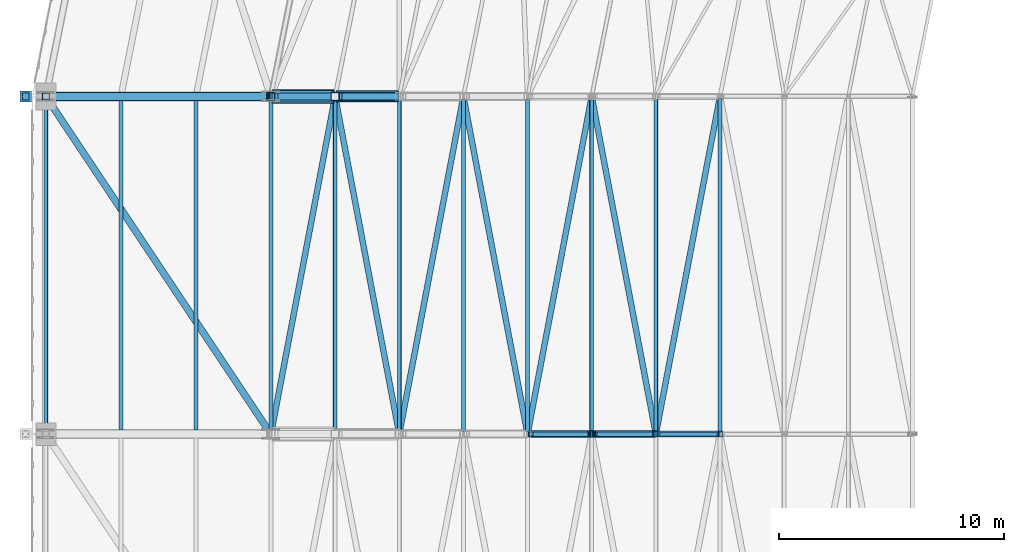
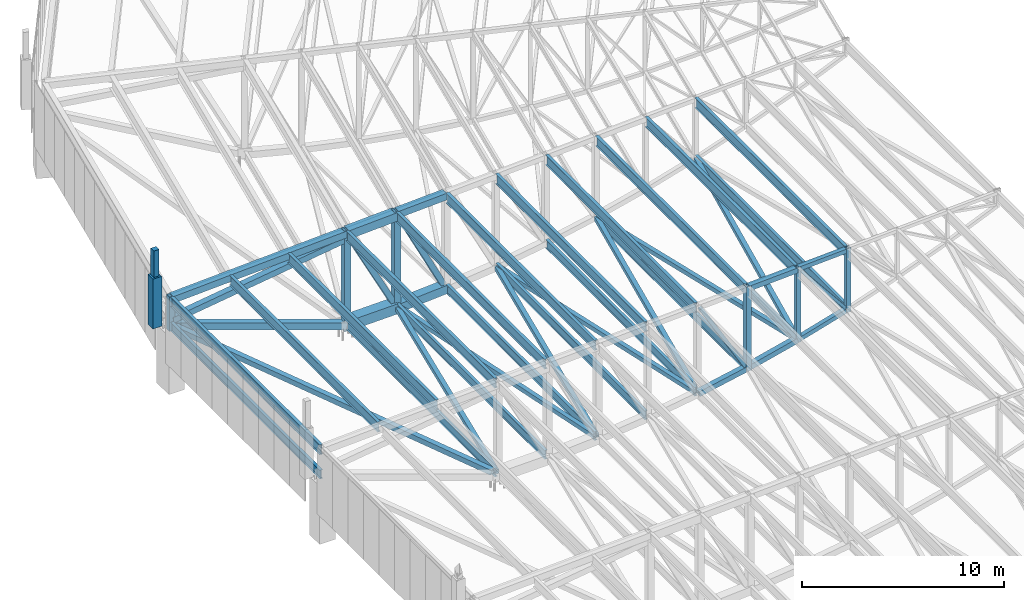
# One storey, part 63 of 278: 36 members, 17 beams.
"""IFC4 building model written with IfcOpenShell, lengths in metres."""

from ifc_helpers import new_model, si_unit, direction, frame, origin, origin_2d, place, context, subcontext, project, spatial, rectangle, hollow_rectangle, i_section, extrude, material, material_profile, profile_set, type_object, element, save


model = new_model("IFC4")

# Units and contexts
model_context = context("Model", 3, precision=1e-05, world=origin(), true_north=direction((0.0, 1.0)))
body_context = subcontext(model_context, "Body", "Model", "MODEL_VIEW")
ifc_project = project(units=[si_unit("LENGTHUNIT", "METRE"), si_unit("AREAUNIT", "SQUARE_METRE"), si_unit("VOLUMEUNIT", "CUBIC_METRE"), si_unit("PLANEANGLEUNIT", "RADIAN"), si_unit("MASSUNIT", "GRAM", prefix="KILO")], contexts=[model_context])

# Site, building, storey
site_placement = place(None, origin())
site = spatial("IfcSite", under=ifc_project, at=site_placement, CompositionType="ELEMENT")
building_placement = place(site_placement, origin())
building = spatial("IfcBuilding", under=site, at=building_placement, Name="Ogive Plaza Stadium", CompositionType="ELEMENT")
storey_placement = place(building_placement, frame((0.0, 0.0, 29.0)))
storey = spatial("IfcBuildingStorey", under=building, at=storey_placement, Name="Roof", CompositionType="ELEMENT", Elevation=29.0)

# Members
ifc_material_1 = material(Name="Concrete C45/55 precast", Category="concrete")
ifc_material_profile_1 = material_profile(ifc_material_1, rectangle(XDim=0.5, YDim=0.5, at=origin_2d()), Name="RC 500x500")
ifc_profile_set_1 = profile_set([ifc_material_profile_1], Name="Concrete C45/55 precast")
member_type_1 = type_object("IfcMemberType", Name="Precast pinnacle 500x500", PredefinedType="POST", material=ifc_profile_set_1)
member_1_placement = place(storey_placement, frame((-84.89990234375, 52.5, 4.0), z_axis=(0.0, 0.0, 1.0), x_axis=(0.0, -1.0, 0.0)))
element("IfcMember", 1, at=member_1_placement, inside=storey, type_object=member_type_1, Name="PINNACLE R28", PredefinedType="POST", context=body_context, shape_type="SweptSolid", body=[
    extrude(rectangle(XDim=0.5, YDim=0.5, at=origin_2d()), origin(), (0.0, 0.0, 1.0), 3.0),
])
ifc_material_2 = material(Name="Concrete C45/55 precast", Category="concrete")
ifc_material_profile_2 = material_profile(ifc_material_2, rectangle(XDim=0.300048828125, YDim=0.300048828125, at=origin_2d()), Name="RC 300x300")
ifc_profile_set_2 = profile_set([ifc_material_profile_2], Name="Concrete C45/55 precast")
member_type_2 = type_object("IfcMemberType", Name="Precast spire 300x300", PredefinedType="MEMBER", material=ifc_profile_set_2)
member_2_placement = place(storey_placement, frame((-84.89990234375, 52.5, 7.0), z_axis=(0.0, 0.0, 1.0), x_axis=(0.0, -1.0, 0.0)))
element("IfcMember", 2, at=member_2_placement, inside=storey, type_object=member_type_2, Name="SPIRE R28", PredefinedType="MEMBER", context=body_context, shape_type="SweptSolid", body=[
    extrude(rectangle(XDim=0.300048828125, YDim=0.300048828125, at=origin_2d()), origin(), (0.0, 0.0, 1.0), 1.60009765625),
])
ifc_material_3 = material(Name="Steel ASTM A500 Grade C", Category="steel")
ifc_material_profile_3 = material_profile(ifc_material_3, hollow_rectangle(XDim=0.25390625, YDim=0.25390625, WallThickness=0.0087890625, at=origin_2d()), Name="HSS10X10X3/8")
ifc_profile_set_3 = profile_set([ifc_material_profile_3], Name="Steel ASTM A500 Grade C")
member_type_3 = type_object("IfcMemberType", Name="Roof plan brace HSS10X10X3/8", PredefinedType="BRACE", material=ifc_profile_set_3)
member_3_placement = place(storey_placement, frame((-54.068115234375, 52.404052734375, 3.27001953125), z_axis=(-0.186406461707, -0.981044003163, -0.052965034622), x_axis=(0.982422964001, -0.186668475654, 0.0)))
element("IfcMember", 3, at=member_3_placement, inside=storey, type_object=member_type_3, Name="ROOF BRACE B27 4", PredefinedType="BRACE", context=body_context, shape_type="SweptSolid", body=[
    extrude(hollow_rectangle(XDim=0.25390625, YDim=0.25390625, WallThickness=0.0087890625, at=origin_2d()), origin(), (0.0, 0.0, 1.0), 15.068359375),
])
member_4_placement = place(storey_placement, frame((-56.923095703125, 37.621337890625, 2.459716796875), z_axis=(-0.186461324063, 0.981373677857, -0.046237204039), x_axis=(-0.982424391989, -0.186660960097, 0.0)))
element("IfcMember", 4, at=member_4_placement, inside=storey, type_object=member_type_3, Name="ROOF BRACE B27 5", PredefinedType="BRACE", context=body_context, shape_type="SweptSolid", body=[
    extrude(hollow_rectangle(XDim=0.25390625, YDim=0.25390625, WallThickness=0.0087890625, at=origin_2d()), origin(), (0.0, 0.0, 1.0), 15.011474609375),
])
member_5_placement = place(storey_placement, frame((-59.77783203125, 52.353271484375, 1.753173828125), z_axis=(-0.186534960176, -0.981781820104, -0.036182403809), x_axis=(0.982425109661, -0.186657182843, 0.0)))
element("IfcMember", 5, at=member_5_placement, inside=storey, type_object=member_type_3, Name="ROOF BRACE B27 6", PredefinedType="BRACE", context=body_context, shape_type="SweptSolid", body=[
    extrude(hollow_rectangle(XDim=0.25390625, YDim=0.25390625, WallThickness=0.0087890625, at=origin_2d()), origin(), (0.0, 0.0, 1.0), 14.9794921875),
])
member_6_placement = place(storey_placement, frame((-62.6279296875, 37.646728515625, 1.20166015625), z_axis=(-0.186585145076, 0.982045956233, -0.027779911508), x_axis=(-0.982425109661, -0.186657182843, 0.0)))
element("IfcMember", 6, at=member_6_placement, inside=storey, type_object=member_type_3, Name="ROOF BRACE B27 7", PredefinedType="BRACE", context=body_context, shape_type="SweptSolid", body=[
    extrude(hollow_rectangle(XDim=0.25390625, YDim=0.25390625, WallThickness=0.0087890625, at=origin_2d()), origin(), (0.0, 0.0, 1.0), 14.975341796875),
])
member_7_placement = place(storey_placement, frame((-65.477783203125, 52.353271484375, 0.77880859375), z_axis=(-0.186639895054, -0.982268812283, -0.017706778071), x_axis=(0.982422833867, -0.186669160538, 0.0)))
element("IfcMember", 7, at=member_7_placement, inside=storey, type_object=member_type_3, Name="ROOF BRACE B27 8", PredefinedType="BRACE", context=body_context, shape_type="SweptSolid", body=[
    extrude(hollow_rectangle(XDim=0.25390625, YDim=0.25390625, WallThickness=0.0087890625, at=origin_2d()), origin(), (0.0, 0.0, 1.0), 14.946044921875),
])
member_8_placement = place(storey_placement, frame((-68.332763671875, 37.672119140625, 0.50927734375), z_axis=(-0.186657320186, 0.982381109131, -0.009295226886), x_axis=(-0.982423551356, -0.186665384421, 0.0)))
element("IfcMember", 8, at=member_8_placement, inside=storey, type_object=member_type_3, Name="ROOF BRACE B27 9", PredefinedType="BRACE", context=body_context, shape_type="SweptSolid", body=[
    extrude(hollow_rectangle(XDim=0.25390625, YDim=0.25390625, WallThickness=0.0087890625, at=origin_2d()), origin(), (0.0, 0.0, 1.0), 14.918701171875),
])
member_9_placement = place(storey_placement, frame((-71.1826171875, 52.327880859375, 0.368408203125), z_axis=(-0.186663720517, -0.982414794197, -0.004222272479), x_axis=(0.982423551356, -0.186665384421, 0.0)))
element("IfcMember", 9, at=member_9_placement, inside=storey, type_object=member_type_3, Name="ROOF BRACE B27 10", PredefinedType="BRACE", context=body_context, shape_type="SweptSolid", body=[
    extrude(hollow_rectangle(XDim=0.25390625, YDim=0.25390625, WallThickness=0.0087890625, at=origin_2d()), origin(), (0.0, 0.0, 1.0), 14.918212890625),
])
ifc_material_4 = material(Name="Steel ASTM A500 Grade C", Category="steel")
ifc_material_profile_4 = material_profile(ifc_material_4, hollow_rectangle(XDim=0.3046875, YDim=0.3046875, WallThickness=0.0087890625, at=origin_2d()), Name="HSS12X12X3/8")
ifc_profile_set_4 = profile_set([ifc_material_profile_4], Name="Steel ASTM A500 Grade C")
member_type_4 = type_object("IfcMemberType", Name="Roof plan brace HSS12X12X3/8", PredefinedType="BRACE", material=ifc_profile_set_4)
member_10_placement = place(storey_placement, frame((-74.158203125, 37.7373046875, 0.358642578125), z_axis=(-0.545096233751, 0.817651210116, 0.185247387419), x_axis=(-0.832052442118, -0.554696974542, 0.0)))
element("IfcMember", 10, at=member_10_placement, inside=storey, type_object=member_type_4, Name="ROOF BRACE B27 11", PredefinedType="BRACE", context=body_context, shape_type="SweptSolid", body=[
    extrude(hollow_rectangle(XDim=0.3046875, YDim=0.3046875, WallThickness=0.0087890625, at=origin_2d()), origin(), (0.0, 0.0, 1.0), 17.7958984375),
])
ifc_material_5 = material(Name="Steel ASTM A992 Grade 50", Category="steel")
ifc_material_profile_5 = material_profile(ifc_material_5, i_section(OverallWidth=0.1650390625, OverallDepth=0.524658203125, WebThickness=0.0087890625, FlangeThickness=0.011474609375, at=origin_2d()), Name="W21X44")
ifc_profile_set_5 = profile_set([ifc_material_profile_5], Name="Steel ASTM A992 Grade 50")
member_type_5 = type_object("IfcMemberType", Name="Roof plan strut W21X44", PredefinedType="STRUT", material=ifc_profile_set_5)
member_11_placement = place(storey_placement, frame((-54.050048828125, 37.571533203125, 3.275146484375), z_axis=(0.0, 1.0, 0.0), x_axis=(-1.0, 0.0, 0.0)))
element("IfcMember", 11, at=member_11_placement, inside=storey, type_object=member_type_5, Name="ROOF STRUT B27 3", PredefinedType="STRUT", context=body_context, shape_type="SweptSolid", body=[
    extrude(i_section(OverallWidth=0.1650390625, OverallDepth=0.524658203125, WebThickness=0.0087890625, FlangeThickness=0.011474609375, at=origin_2d()), origin(), (0.0, 0.0, 1.0), 14.85693359375),
])
member_12_placement = place(storey_placement, frame((-56.89990234375, 37.596923828125, 2.46533203125), z_axis=(0.0, 1.0, 0.0), x_axis=(-1.0, 0.0, 0.0)))
element("IfcMember", 12, at=member_12_placement, inside=storey, type_object=member_type_5, Name="ROOF STRUT B27 4", PredefinedType="STRUT", context=body_context, shape_type="SweptSolid", body=[
    extrude(i_section(OverallWidth=0.1650390625, OverallDepth=0.524658203125, WebThickness=0.0087890625, FlangeThickness=0.011474609375, at=origin_2d()), origin(), (0.0, 0.0, 1.0), 14.80615234375),
])
for number, where, z_axis, x_axis, name in (
    (13, (-59.75, 37.622314453125, 1.758544921875), (0.0, 1.0, 0.0), (-1.0, 0.0, 0.0), "ROOF STRUT B27 5"),
    (14, (-62.60009765625, 37.622314453125, 1.205810546875), (0.0, 1.0, 0.0), (-1.0, 0.0, 0.0), "ROOF STRUT B27 6"),
    (15, (-65.449951171875, 37.622314453125, 0.781494140625), (0.0, 1.0, 0.0), (-1.0, 0.0, 0.0), "ROOF STRUT B27 7"),
):
    element("IfcMember", number, at=place(storey_placement, frame(where, z_axis=z_axis, x_axis=x_axis)), inside=storey, type_object=member_type_5, Name=name, PredefinedType="STRUT", context=body_context, shape_type="SweptSolid", body=[
        extrude(i_section(OverallWidth=0.1650390625, OverallDepth=0.524658203125, WebThickness=0.0087890625, FlangeThickness=0.011474609375, at=origin_2d()), origin(), (0.0, 0.0, 1.0), 14.75537109375),
    ])
for number, where, z_axis, x_axis, name in (
    (16, (-68.300048828125, 37.647705078125, 0.510986328125), (0.0, 1.0, 0.0), (-1.0, 0.0, 0.0), "ROOF STRUT B27 8"),
    (17, (-71.14990234375, 37.647705078125, 0.369140625), (0.0, 1.0, 0.0), (-1.0, 0.0, 0.0), "ROOF STRUT B27 9"),
    (18, (-74.0, 37.647705078125, 0.3046875), (0.0, 1.0, 0.0), (-1.0, 0.0, 0.0), "ROOF STRUT B27 10"),
):
    element("IfcMember", number, at=place(storey_placement, frame(where, z_axis=z_axis, x_axis=x_axis)), inside=storey, type_object=member_type_5, Name=name, PredefinedType="STRUT", context=body_context, shape_type="SweptSolid", body=[
        extrude(i_section(OverallWidth=0.1650390625, OverallDepth=0.524658203125, WebThickness=0.0087890625, FlangeThickness=0.011474609375, at=origin_2d()), origin(), (0.0, 0.0, 1.0), 14.70458984375),
    ])
member_13_placement = place(storey_placement, frame((-84.0, 37.622314453125, 3.703125), z_axis=(0.0, 1.0, 0.0), x_axis=(-1.0, 0.0, 0.0)))
element("IfcMember", 19, at=member_13_placement, inside=storey, type_object=member_type_5, Name="ROOF STRUT B27 11", PredefinedType="STRUT", context=body_context, shape_type="SweptSolid", body=[
    extrude(i_section(OverallWidth=0.1650390625, OverallDepth=0.524658203125, WebThickness=0.0087890625, FlangeThickness=0.011474609375, at=origin_2d()), origin(), (0.0, 0.0, 1.0), 14.75537109375),
])
ifc_material_6 = material(Name="Steel ASTM A992 Grade 50", Category="steel")
ifc_material_profile_6 = material_profile(ifc_material_6, i_section(OverallWidth=0.177978515625, OverallDepth=0.5986328125, WebThickness=0.010009765625, FlangeThickness=0.012939453125, at=origin_2d()), Name="W24X55")
ifc_profile_set_6 = profile_set([ifc_material_profile_6], Name="Steel ASTM A992 Grade 50")
member_type_6 = type_object("IfcMemberType", Name="Roof purlin W24X55", PredefinedType="PURLIN", material=ifc_profile_set_6)
member_14_placement = place(storey_placement, frame((-54.050048828125, 37.571533203125, 6.6982421875), z_axis=(0.0, 1.0, 0.0), x_axis=(-1.0, 0.0, 0.0)))
element("IfcMember", 20, at=member_14_placement, inside=storey, type_object=member_type_6, Name="ROOF PURLIN B27 3", PredefinedType="PURLIN", context=body_context, shape_type="SweptSolid", body=[
    extrude(i_section(OverallWidth=0.177978515625, OverallDepth=0.5986328125, WebThickness=0.010009765625, FlangeThickness=0.012939453125, at=origin_2d()), origin(), (0.0, 0.0, 1.0), 14.85693359375),
])
member_15_placement = place(storey_placement, frame((-56.89990234375, 37.596923828125, 6.5556640625), z_axis=(0.0, 1.0, 0.0), x_axis=(-1.0, 0.0, 0.0)))
element("IfcMember", 21, at=member_15_placement, inside=storey, type_object=member_type_6, Name="ROOF PURLIN B27 4", PredefinedType="PURLIN", context=body_context, shape_type="SweptSolid", body=[
    extrude(i_section(OverallWidth=0.177978515625, OverallDepth=0.5986328125, WebThickness=0.010009765625, FlangeThickness=0.012939453125, at=origin_2d()), origin(), (0.0, 0.0, 1.0), 14.80615234375),
])
for number, where, z_axis, x_axis, name in (
    (22, (-59.75, 37.622314453125, 6.4130859375), (0.0, 1.0, 0.0), (-1.0, 0.0, 0.0), "ROOF PURLIN B27 5"),
    (23, (-62.60009765625, 37.622314453125, 6.270751953125), (0.0, 1.0, 0.0), (-1.0, 0.0, 0.0), "ROOF PURLIN B27 6"),
    (24, (-65.449951171875, 37.622314453125, 6.128173828125), (0.0, 1.0, 0.0), (-1.0, 0.0, 0.0), "ROOF PURLIN B27 7"),
):
    element("IfcMember", number, at=place(storey_placement, frame(where, z_axis=z_axis, x_axis=x_axis)), inside=storey, type_object=member_type_6, Name=name, PredefinedType="PURLIN", context=body_context, shape_type="SweptSolid", body=[
        extrude(i_section(OverallWidth=0.177978515625, OverallDepth=0.5986328125, WebThickness=0.010009765625, FlangeThickness=0.012939453125, at=origin_2d()), origin(), (0.0, 0.0, 1.0), 14.75537109375),
    ])
for number, where, z_axis, x_axis, name in (
    (25, (-68.300048828125, 37.647705078125, 5.985595703125), (0.0, 1.0, 0.0), (-1.0, 0.0, 0.0), "ROOF PURLIN B27 8"),
    (26, (-71.14990234375, 37.647705078125, 5.84326171875), (0.0, 1.0, 0.0), (-1.0, 0.0, 0.0), "ROOF PURLIN B27 9"),
    (27, (-74.0, 37.647705078125, 5.70068359375), (0.0, 1.0, 0.0), (-1.0, 0.0, 0.0), "ROOF PURLIN B27 10"),
):
    element("IfcMember", number, at=place(storey_placement, frame(where, z_axis=z_axis, x_axis=x_axis)), inside=storey, type_object=member_type_6, Name=name, PredefinedType="PURLIN", context=body_context, shape_type="SweptSolid", body=[
        extrude(i_section(OverallWidth=0.177978515625, OverallDepth=0.5986328125, WebThickness=0.010009765625, FlangeThickness=0.012939453125, at=origin_2d()), origin(), (0.0, 0.0, 1.0), 14.70458984375),
    ])
for number, where, z_axis, x_axis, name in (
    (28, (-77.333251953125, 37.673095703125, 5.533935546875), (0.0, 1.0, 0.0), (-1.0, 0.0, 0.0), "ROOF PURLIN B27 11"),
    (29, (-80.666748046875, 37.673095703125, 5.367431640625), (0.0, 1.0, 0.0), (-1.0, 0.0, 0.0), "ROOF PURLIN B27 12"),
):
    element("IfcMember", number, at=place(storey_placement, frame(where, z_axis=z_axis, x_axis=x_axis)), inside=storey, type_object=member_type_6, Name=name, PredefinedType="PURLIN", context=body_context, shape_type="SweptSolid", body=[
        extrude(i_section(OverallWidth=0.177978515625, OverallDepth=0.5986328125, WebThickness=0.010009765625, FlangeThickness=0.012939453125, at=origin_2d()), origin(), (0.0, 0.0, 1.0), 14.65380859375),
    ])
member_16_placement = place(storey_placement, frame((-84.0, 37.622314453125, 5.20068359375), z_axis=(0.0, 1.0, 0.0), x_axis=(-1.0, 0.0, 0.0)))
element("IfcMember", 30, at=member_16_placement, inside=storey, type_object=member_type_6, Name="ROOF PURLIN B27 13", PredefinedType="PURLIN", context=body_context, shape_type="SweptSolid", body=[
    extrude(i_section(OverallWidth=0.177978515625, OverallDepth=0.5986328125, WebThickness=0.010009765625, FlangeThickness=0.012939453125, at=origin_2d()), origin(), (0.0, 0.0, 1.0), 14.75537109375),
])

# Beams
ifc_material_7 = material(Name="Steel ASTM A500 Grade C", Category="steel")
ifc_material_profile_7 = material_profile(ifc_material_7, hollow_rectangle(XDim=0.406494140625, YDim=0.406494140625, WallThickness=0.0146484375, at=origin_2d()), Name="HSS16X16X5/8")
ifc_profile_set_7 = profile_set([ifc_material_profile_7], Name="Steel ASTM A500 Grade C")
beam_type_1 = type_object("IfcBeamType", Name="Roof truss back-span bottom chord HSS16X16X5/8", PredefinedType="BEAM", material=ifc_profile_set_7)
beam_1_placement = place(storey_placement, frame((-74.050048828125, 52.5, 0.232666015625), z_axis=(-0.943851085966, 0.0, 0.330371196567), x_axis=(0.0, -1.0, 0.0)))
element("IfcBeam", 31, at=beam_1_placement, inside=storey, type_object=beam_type_1, Name="ROOF TRUSS T28 BOTTOM CHORD 11", PredefinedType="BEAM", context=body_context, shape_type="SweptSolid", body=[
    extrude(hollow_rectangle(XDim=0.406494140625, YDim=0.406494140625, WallThickness=0.0146484375, at=origin_2d()), origin(), (0.0, 0.0, 1.0), 10.470703125),
])
ifc_material_8 = material(Name="Steel ASTM A500 Grade C", Category="steel")
ifc_material_profile_8 = material_profile(ifc_material_8, hollow_rectangle(XDim=0.406494140625, YDim=0.406494140625, WallThickness=0.0146484375, at=origin_2d()), Name="HSS16X16X5/8")
ifc_profile_set_8 = profile_set([ifc_material_profile_8], Name="Steel ASTM A500 Grade C")
beam_type_2 = type_object("IfcBeamType", Name="Roof truss back-span top chord HSS16X16X5/8", PredefinedType="BEAM", material=ifc_profile_set_8)
beam_2_placement = place(storey_placement, frame((-74.050048828125, 52.5, 5.7939453125), z_axis=(-0.998752953021, 0.0, -0.049925332571), x_axis=(0.0, -1.0, 0.0)))
element("IfcBeam", 32, at=beam_2_placement, inside=storey, type_object=beam_type_2, Name="ROOF TRUSS T28 TOP CHORD 11", PredefinedType="BEAM", context=body_context, shape_type="SweptSolid", body=[
    extrude(hollow_rectangle(XDim=0.406494140625, YDim=0.406494140625, WallThickness=0.0146484375, at=origin_2d()), origin(), (0.0, 0.0, 1.0), 9.912353515625),
])

# Member
ifc_material_9 = material(Name="Steel ASTM A500 Grade C", Category="steel")
ifc_material_profile_9 = material_profile(ifc_material_9, hollow_rectangle(XDim=0.355712890625, YDim=0.355712890625, WallThickness=0.0146484375, at=origin_2d()), Name="HSS14X14X5/8")
ifc_profile_set_9 = profile_set([ifc_material_profile_9], Name="Steel ASTM A500 Grade C")
member_type_7 = type_object("IfcMemberType", Name="Roof truss back-stay HSS14X14X5/8", PredefinedType="BRACE", material=ifc_profile_set_9)
member_17_placement = place(storey_placement, frame((-74.093017578125, 52.5, 5.45654296875), z_axis=(-0.989844100519, 0.0, -0.142157154826), x_axis=(0.0, -1.0, 0.0)))
element("IfcMember", 33, at=member_17_placement, inside=storey, type_object=member_type_7, Name="BACK-STAY T28", PredefinedType="BRACE", context=body_context, shape_type="SweptSolid", body=[
    extrude(hollow_rectangle(XDim=0.355712890625, YDim=0.355712890625, WallThickness=0.0146484375, at=origin_2d()), origin(), (0.0, 0.0, 1.0), 9.9404296875),
])

# Beams
ifc_material_10 = material(Name="Steel ASTM A500 Grade C", Category="steel")
ifc_material_profile_10 = material_profile(ifc_material_10, hollow_rectangle(XDim=0.25390625, YDim=0.25390625, WallThickness=0.01171875, at=origin_2d()), Name="HSS10X10X1/2")
ifc_profile_set_10 = profile_set([ifc_material_profile_10], Name="Steel ASTM A500 Grade C")
beam_type_3 = type_object("IfcBeamType", Name="Roof truss bottom chord HSS10X10X1/2", PredefinedType="BEAM", material=ifc_profile_set_10)
beam_3_placement = place(storey_placement, frame((-54.10009765625, 37.5, 3.265869140625), z_axis=(-0.959640437259, 0.0, -0.281229854705), x_axis=(0.0, -1.0, 0.0)))
element("IfcBeam", 34, at=beam_3_placement, inside=storey, type_object=beam_type_3, Name="ROOF TRUSS T27 BOTTOM CHORD 4", PredefinedType="BEAM", context=body_context, shape_type="SweptSolid", body=[
    extrude(hollow_rectangle(XDim=0.25390625, YDim=0.25390625, WallThickness=0.01171875, at=origin_2d()), origin(), (0.0, 0.0, 1.0), 2.86572265625),
])
ifc_material_11 = material(Name="Steel ASTM A500 Grade C", Category="steel")
ifc_material_profile_11 = material_profile(ifc_material_11, hollow_rectangle(XDim=0.3046875, YDim=0.3046875, WallThickness=0.0146484375, at=origin_2d()), Name="HSS12X12X5/8")
ifc_profile_set_11 = profile_set([ifc_material_profile_11], Name="Steel ASTM A500 Grade C")
beam_type_4 = type_object("IfcBeamType", Name="Roof truss bottom chord HSS12X12X5/8", PredefinedType="BEAM", material=ifc_profile_set_11)
beam_4_placement = place(storey_placement, frame((-56.949951171875, 37.5, 2.45751953125), z_axis=(-0.970607032995, 0.0, -0.240669872439), x_axis=(0.0, -1.0, 0.0)))
element("IfcBeam", 35, at=beam_4_placement, inside=storey, type_object=beam_type_4, Name="ROOF TRUSS T27 BOTTOM CHORD 5", PredefinedType="BEAM", context=body_context, shape_type="SweptSolid", body=[
    extrude(hollow_rectangle(XDim=0.3046875, YDim=0.3046875, WallThickness=0.0146484375, at=origin_2d()), origin(), (0.0, 0.0, 1.0), 2.833251953125),
])
beam_5_placement = place(storey_placement, frame((-59.800048828125, 37.5, 1.751708984375), z_axis=(-0.980021250437, 0.0, -0.19889280704), x_axis=(0.0, -1.0, 0.0)))
element("IfcBeam", 36, at=beam_5_placement, inside=storey, type_object=beam_type_4, Name="ROOF TRUSS T27 BOTTOM CHORD 6", PredefinedType="BEAM", context=body_context, shape_type="SweptSolid", body=[
    extrude(hollow_rectangle(XDim=0.3046875, YDim=0.3046875, WallThickness=0.0146484375, at=origin_2d()), origin(), (0.0, 0.0, 1.0), 2.80615234375),
])
ifc_material_12 = material(Name="Steel ASTM A500 Grade C", Category="steel")
ifc_material_profile_12 = material_profile(ifc_material_12, hollow_rectangle(XDim=0.508056640625, YDim=0.508056640625, WallThickness=0.0146484375, at=origin_2d()), Name="HSS20X20X5/8")
ifc_profile_set_12 = profile_set([ifc_material_profile_12], Name="Steel ASTM A500 Grade C")
beam_type_5 = type_object("IfcBeamType", Name="Roof truss bottom chord HSS20X20X5/8", PredefinedType="BEAM", material=ifc_profile_set_12)
beam_6_placement = place(storey_placement, frame((-68.35009765625, 52.5, 0.50830078125), z_axis=(-0.997719620387, 0.0, -0.06749488199), x_axis=(0.0, -1.0, 0.0)))
element("IfcBeam", 37, at=beam_6_placement, inside=storey, type_object=beam_type_5, Name="ROOF TRUSS T28 BOTTOM CHORD 9", PredefinedType="BEAM", context=body_context, shape_type="SweptSolid", body=[
    extrude(hollow_rectangle(XDim=0.508056640625, YDim=0.508056640625, WallThickness=0.0146484375, at=origin_2d()), origin(), (0.0, 0.0, 1.0), 2.75634765625),
])
ifc_material_13 = material(Name="Steel ASTM A500 Grade C", Category="steel")
ifc_material_profile_13 = material_profile(ifc_material_13, hollow_rectangle(XDim=0.609619140625, YDim=0.609619140625, WallThickness=0.0146484375, at=origin_2d()), Name="HSS24X24X5/8")
ifc_profile_set_13 = profile_set([ifc_material_profile_13], Name="Steel ASTM A500 Grade C")
beam_type_6 = type_object("IfcBeamType", Name="Roof truss bottom chord HSS24X24X5/8", PredefinedType="BEAM", material=ifc_profile_set_13)
beam_7_placement = place(storey_placement, frame((-71.199951171875, 52.5, 0.367919921875), z_axis=(-0.999745852076, 0.0, -0.022543984946), x_axis=(0.0, -1.0, 0.0)))
element("IfcBeam", 38, at=beam_7_placement, inside=storey, type_object=beam_type_6, Name="ROOF TRUSS T28 BOTTOM CHORD 10", PredefinedType="BEAM", context=body_context, shape_type="SweptSolid", body=[
    extrude(hollow_rectangle(XDim=0.609619140625, YDim=0.609619140625, WallThickness=0.0146484375, at=origin_2d()), origin(), (0.0, 0.0, 1.0), 2.750732421875),
])

# Members
ifc_material_14 = material(Name="Steel ASTM A500 Grade C", Category="steel")
ifc_material_profile_14 = material_profile(ifc_material_14, hollow_rectangle(XDim=0.3046875, YDim=0.3046875, WallThickness=0.0087890625, at=origin_2d()), Name="HSS12X12X3/8")
ifc_profile_set_14 = profile_set([ifc_material_profile_14], Name="Steel ASTM A500 Grade C")
member_type_8 = type_object("IfcMemberType", Name="Roof truss diagonal HSS12X12X3/8", PredefinedType="BRACE", material=ifc_profile_set_14)
member_18_placement = place(storey_placement, frame((-68.477783203125, 52.5, 0.764892578125), z_axis=(-0.448477330766, 0.0, 0.893794206621), x_axis=(0.0, -1.0, 0.0)))
element("IfcMember", 39, at=member_18_placement, inside=storey, type_object=member_type_8, Name="ROOF TRUSS T28 DIAGONAL 9", PredefinedType="BRACE", context=body_context, shape_type="SweptSolid", body=[
    extrude(hollow_rectangle(XDim=0.3046875, YDim=0.3046875, WallThickness=0.0087890625, at=origin_2d()), origin(), (0.0, 0.0, 1.0), 5.56201171875),
])
member_19_placement = place(storey_placement, frame((-71.327880859375, 52.5, 0.673828125), z_axis=(-0.459750963822, 0.0, 0.888047887934), x_axis=(0.0, -1.0, 0.0)))
element("IfcMember", 40, at=member_19_placement, inside=storey, type_object=member_type_8, Name="ROOF TRUSS T28 DIAGONAL 10", PredefinedType="BRACE", context=body_context, shape_type="SweptSolid", body=[
    extrude(hollow_rectangle(XDim=0.3046875, YDim=0.3046875, WallThickness=0.0087890625, at=origin_2d()), origin(), (0.0, 0.0, 1.0), 5.425537109375),
])
ifc_material_15 = material(Name="Steel ASTM A500 Grade C", Category="steel")
ifc_material_profile_15 = material_profile(ifc_material_15, hollow_rectangle(XDim=0.15234375, YDim=0.15234375, WallThickness=0.0087890625, at=origin_2d()), Name="HSS6X6X3/8")
ifc_profile_set_15 = profile_set([ifc_material_profile_15], Name="Steel ASTM A500 Grade C")
member_type_9 = type_object("IfcMemberType", Name="Roof truss diagonal HSS6X6X3/8", PredefinedType="BRACE", material=ifc_profile_set_15)
member_20_placement = place(storey_placement, frame((-54.177001953125, 37.5, 3.40234375), z_axis=(-0.630150764463, 0.0, 0.77647280316), x_axis=(0.0, -1.0, 0.0)))
element("IfcMember", 41, at=member_20_placement, inside=storey, type_object=member_type_9, Name="ROOF TRUSS T27 DIAGONAL 4", PredefinedType="BRACE", context=body_context, shape_type="SweptSolid", body=[
    extrude(hollow_rectangle(XDim=0.15234375, YDim=0.15234375, WallThickness=0.0087890625, at=origin_2d()), origin(), (0.0, 0.0, 1.0), 4.11962890625),
])
ifc_material_16 = material(Name="Steel ASTM A500 Grade C", Category="steel")
ifc_material_profile_16 = material_profile(ifc_material_16, hollow_rectangle(XDim=0.203125, YDim=0.203125, WallThickness=0.0087890625, at=origin_2d()), Name="HSS8X8X3/8")
ifc_profile_set_16 = profile_set([ifc_material_profile_16], Name="Steel ASTM A500 Grade C")
member_type_10 = type_object("IfcMemberType", Name="Roof truss diagonal HSS8X8X3/8", PredefinedType="BRACE", material=ifc_profile_set_16)
member_21_placement = place(storey_placement, frame((-57.027099609375, 37.5, 2.617919921875), z_axis=(-0.561338440243, 0.0, 0.827586343233), x_axis=(0.0, -1.0, 0.0)))
element("IfcMember", 42, at=member_21_placement, inside=storey, type_object=member_type_10, Name="ROOF TRUSS T27 DIAGONAL 5", PredefinedType="BRACE", context=body_context, shape_type="SweptSolid", body=[
    extrude(hollow_rectangle(XDim=0.203125, YDim=0.203125, WallThickness=0.0087890625, at=origin_2d()), origin(), (0.0, 0.0, 1.0), 4.579345703125),
])
member_22_placement = place(storey_placement, frame((-59.90234375, 37.5, 1.9111328125), z_axis=(-0.504659398762, 0.0, 0.863318534054), x_axis=(0.0, -1.0, 0.0)))
element("IfcMember", 43, at=member_22_placement, inside=storey, type_object=member_type_10, Name="ROOF TRUSS T27 DIAGONAL 6", PredefinedType="BRACE", context=body_context, shape_type="SweptSolid", body=[
    extrude(hollow_rectangle(XDim=0.203125, YDim=0.203125, WallThickness=0.0087890625, at=origin_2d()), origin(), (0.0, 0.0, 1.0), 5.043212890625),
])

# Beams
ifc_material_17 = material(Name="Steel ASTM A500 Grade C", Category="steel")
ifc_material_profile_17 = material_profile(ifc_material_17, hollow_rectangle(XDim=0.25390625, YDim=0.25390625, WallThickness=0.01171875, at=origin_2d()), Name="HSS10X10X1/2")
ifc_profile_set_17 = profile_set([ifc_material_profile_17], Name="Steel ASTM A500 Grade C")
beam_type_7 = type_object("IfcBeamType", Name="Roof truss post HSS10X10X1/2", PredefinedType="BEAM", material=ifc_profile_set_17)
beam_8_placement = place(storey_placement, frame((-54.050048828125, 37.5, 3.148193359375), z_axis=(0.0, 0.0, 1.0), x_axis=(0.0, -1.0, 0.0)))
element("IfcBeam", 44, at=beam_8_placement, inside=storey, type_object=beam_type_7, Name="ROOF TRUSS T27 POST 4", PredefinedType="BEAM", context=body_context, shape_type="SweptSolid", body=[
    extrude(hollow_rectangle(XDim=0.25390625, YDim=0.25390625, WallThickness=0.01171875, at=origin_2d()), origin(), (0.0, 0.0, 1.0), 3.849365234375),
])
beam_9_placement = place(storey_placement, frame((-56.89990234375, 37.5, 2.31298828125), z_axis=(0.0, 0.0, 1.0), x_axis=(0.0, -1.0, 0.0)))
element("IfcBeam", 45, at=beam_9_placement, inside=storey, type_object=beam_type_7, Name="ROOF TRUSS T27 POST 5", PredefinedType="BEAM", context=body_context, shape_type="SweptSolid", body=[
    extrude(hollow_rectangle(XDim=0.25390625, YDim=0.25390625, WallThickness=0.01171875, at=origin_2d()), origin(), (0.0, 0.0, 1.0), 4.5419921875),
])
ifc_material_18 = material(Name="Steel ASTM A500 Grade C", Category="steel")
ifc_material_profile_18 = material_profile(ifc_material_18, hollow_rectangle(XDim=0.3046875, YDim=0.3046875, WallThickness=0.01171875, at=origin_2d()), Name="HSS12X12X1/2")
ifc_profile_set_18 = profile_set([ifc_material_profile_18], Name="Steel ASTM A500 Grade C")
beam_type_8 = type_object("IfcBeamType", Name="Roof truss post HSS12X12X1/2", PredefinedType="BEAM", material=ifc_profile_set_18)
beam_10_placement = place(storey_placement, frame((-59.75, 37.5, 1.606201171875), z_axis=(0.0, 0.0, 1.0), x_axis=(0.0, -1.0, 0.0)))
element("IfcBeam", 46, at=beam_10_placement, inside=storey, type_object=beam_type_8, Name="ROOF TRUSS T27 POST 6", PredefinedType="BEAM", context=body_context, shape_type="SweptSolid", body=[
    extrude(hollow_rectangle(XDim=0.3046875, YDim=0.3046875, WallThickness=0.01171875, at=origin_2d()), origin(), (0.0, 0.0, 1.0), 5.106201171875),
])
beam_11_placement = place(storey_placement, frame((-84.0, 52.5, 3.43994140625), z_axis=(0.0, 0.0, 1.0), x_axis=(0.0, -1.0, 0.0)))
element("IfcBeam", 47, at=beam_11_placement, inside=storey, type_object=beam_type_8, Name="ROOF TRUSS T28 POST 12", PredefinedType="BEAM", context=body_context, shape_type="SweptSolid", body=[
    extrude(hollow_rectangle(XDim=0.3046875, YDim=0.3046875, WallThickness=0.01171875, at=origin_2d()), origin(), (0.0, 0.0, 1.0), 2.06005859375),
])
ifc_material_19 = material(Name="Steel ASTM A500 Grade C", Category="steel")
ifc_material_profile_19 = material_profile(ifc_material_19, hollow_rectangle(XDim=0.355712890625, YDim=0.355712890625, WallThickness=0.0146484375, at=origin_2d()), Name="HSS14X14X5/8")
ifc_profile_set_19 = profile_set([ifc_material_profile_19], Name="Steel ASTM A500 Grade C")
beam_type_9 = type_object("IfcBeamType", Name="Roof truss post HSS14X14X5/8", PredefinedType="BEAM", material=ifc_profile_set_19)
beam_12_placement = place(storey_placement, frame((-71.14990234375, 52.5, 0.064208984375), z_axis=(0.0, 0.0, 1.0), x_axis=(0.0, -1.0, 0.0)))
element("IfcBeam", 48, at=beam_12_placement, inside=storey, type_object=beam_type_9, Name="ROOF TRUSS T28 POST 10", PredefinedType="BEAM", context=body_context, shape_type="SweptSolid", body=[
    extrude(hollow_rectangle(XDim=0.355712890625, YDim=0.355712890625, WallThickness=0.0146484375, at=origin_2d()), origin(), (0.0, 0.0, 1.0), 6.078369140625),
])
beam_13_placement = place(storey_placement, frame((-74.0, 52.5, -0.06005859375), z_axis=(0.0, 0.0, 1.0), x_axis=(0.0, -1.0, 0.0)))
element("IfcBeam", 49, at=beam_13_placement, inside=storey, type_object=beam_type_9, Name="ROOF TRUSS T28 POST 11", PredefinedType="BEAM", context=body_context, shape_type="SweptSolid", body=[
    extrude(hollow_rectangle(XDim=0.355712890625, YDim=0.355712890625, WallThickness=0.0146484375, at=origin_2d()), origin(), (0.0, 0.0, 1.0), 6.06005859375),
])
ifc_material_20 = material(Name="Steel ASTM A500 Grade C", Category="steel")
ifc_material_profile_20 = material_profile(ifc_material_20, hollow_rectangle(XDim=0.25390625, YDim=0.25390625, WallThickness=0.0087890625, at=origin_2d()), Name="HSS10X10X3/8")
ifc_profile_set_20 = profile_set([ifc_material_profile_20], Name="Steel ASTM A500 Grade C")
beam_type_10 = type_object("IfcBeamType", Name="Roof truss top chord HSS10X10X3/8", PredefinedType="BEAM", material=ifc_profile_set_20)
beam_14_placement = place(storey_placement, frame((-54.10009765625, 37.5, 6.867919921875), z_axis=(-0.998748798523, 0.0, -0.05000837379), x_axis=(0.0, -1.0, 0.0)))
element("IfcBeam", 50, at=beam_14_placement, inside=storey, type_object=beam_type_10, Name="ROOF TRUSS T27 TOP CHORD 4", PredefinedType="BEAM", context=body_context, shape_type="SweptSolid", body=[
    extrude(hollow_rectangle(XDim=0.25390625, YDim=0.25390625, WallThickness=0.0087890625, at=origin_2d()), origin(), (0.0, 0.0, 1.0), 2.75341796875),
])
ifc_material_21 = material(Name="Steel ASTM A500 Grade C", Category="steel")
ifc_material_profile_21 = material_profile(ifc_material_21, hollow_rectangle(XDim=0.3046875, YDim=0.3046875, WallThickness=0.0087890625, at=origin_2d()), Name="HSS12X12X3/8")
ifc_profile_set_21 = profile_set([ifc_material_profile_21], Name="Steel ASTM A500 Grade C")
beam_type_11 = type_object("IfcBeamType", Name="Roof truss top chord HSS12X12X3/8", PredefinedType="BEAM", material=ifc_profile_set_21)
beam_15_placement = place(storey_placement, frame((-56.949951171875, 37.5, 6.699951171875), z_axis=(-0.998753223187, 0.0, -0.049919927615), x_axis=(0.0, -1.0, 0.0)))
element("IfcBeam", 51, at=beam_15_placement, inside=storey, type_object=beam_type_11, Name="ROOF TRUSS T27 TOP CHORD 5", PredefinedType="BEAM", context=body_context, shape_type="SweptSolid", body=[
    extrude(hollow_rectangle(XDim=0.3046875, YDim=0.3046875, WallThickness=0.0087890625, at=origin_2d()), origin(), (0.0, 0.0, 1.0), 2.75341796875),
])
ifc_material_22 = material(Name="Steel ASTM A500 Grade C", Category="steel")
ifc_material_profile_22 = material_profile(ifc_material_22, hollow_rectangle(XDim=0.406494140625, YDim=0.406494140625, WallThickness=0.01171875, at=origin_2d()), Name="HSS16X16X1/2")
ifc_profile_set_22 = profile_set([ifc_material_profile_22], Name="Steel ASTM A500 Grade C")
beam_type_12 = type_object("IfcBeamType", Name="Roof truss top chord HSS16X16X1/2", PredefinedType="BEAM", material=ifc_profile_set_22)
beam_16_placement = place(storey_placement, frame((-68.35009765625, 52.5, 6.0791015625), z_axis=(-0.998753223187, 0.0, -0.049919927615), x_axis=(0.0, -1.0, 0.0)))
element("IfcBeam", 52, at=beam_16_placement, inside=storey, type_object=beam_type_12, Name="ROOF TRUSS T28 TOP CHORD 9", PredefinedType="BEAM", context=body_context, shape_type="SweptSolid", body=[
    extrude(hollow_rectangle(XDim=0.406494140625, YDim=0.406494140625, WallThickness=0.01171875, at=origin_2d()), origin(), (0.0, 0.0, 1.0), 2.75341796875),
])
ifc_material_23 = material(Name="Steel ASTM A500 Grade C", Category="steel")
ifc_material_profile_23 = material_profile(ifc_material_23, hollow_rectangle(XDim=0.508056640625, YDim=0.508056640625, WallThickness=0.0146484375, at=origin_2d()), Name="HSS20X20X5/8")
ifc_profile_set_23 = profile_set([ifc_material_profile_23], Name="Steel ASTM A500 Grade C")
beam_type_13 = type_object("IfcBeamType", Name="Roof truss top chord HSS20X20X5/8", PredefinedType="BEAM", material=ifc_profile_set_23)
beam_17_placement = place(storey_placement, frame((-71.199951171875, 52.5, 5.8857421875), z_axis=(-0.998753223187, 0.0, -0.049919927615), x_axis=(0.0, -1.0, 0.0)))
element("IfcBeam", 53, at=beam_17_placement, inside=storey, type_object=beam_type_13, Name="ROOF TRUSS T28 TOP CHORD 10", PredefinedType="BEAM", context=body_context, shape_type="SweptSolid", body=[
    extrude(hollow_rectangle(XDim=0.508056640625, YDim=0.508056640625, WallThickness=0.0146484375, at=origin_2d()), origin(), (0.0, 0.0, 1.0), 2.75341796875),
])

save(model, "model.ifc")
